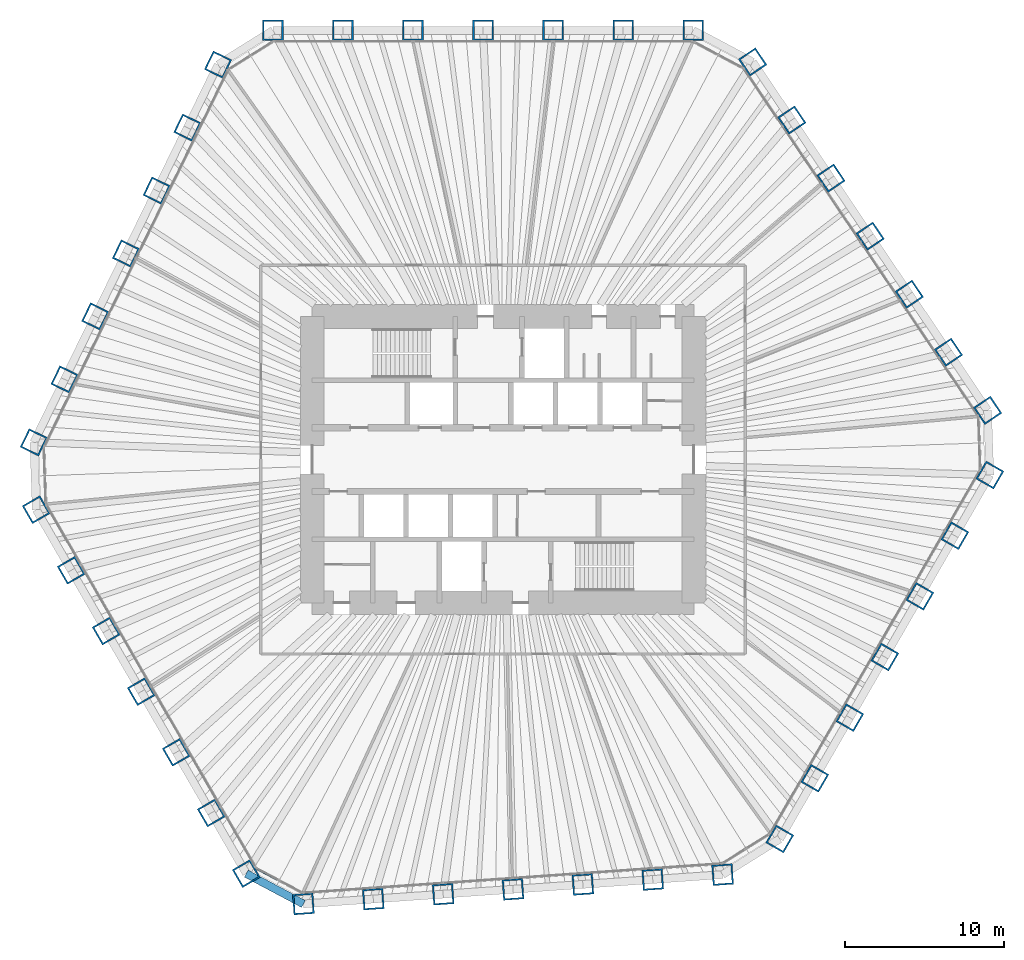
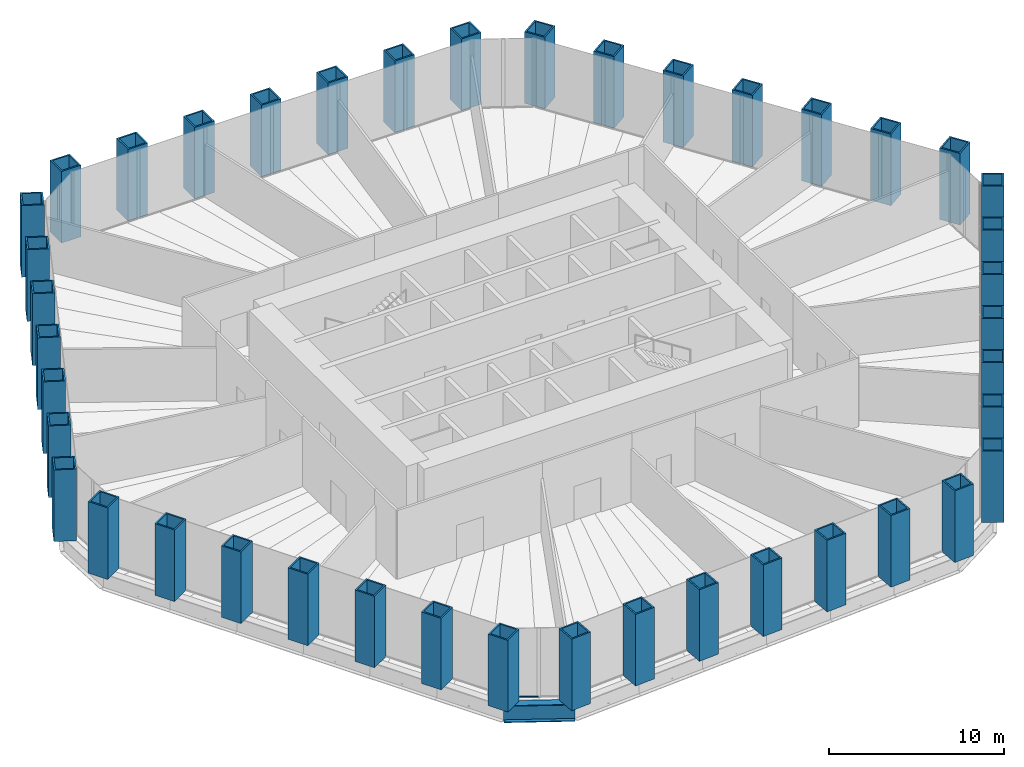
# One storey, part 1 of 13: 42 columns, 1 beam, 1 member, 1 element without a shape of its own.
"""IFC4 building model written with IfcOpenShell, lengths in metres."""

from ifc_helpers import new_model, si_unit, direction, frame, origin, origin_2d, place, context, subcontext, project, spatial, rectangle, hollow_rectangle, i_section, extrude, material, material_profile, profile_set, type_object, element, aggregate, save


model = new_model("IFC4")

# Units and contexts
model_context = context("Model", 3, precision=1e-05, world=origin(), true_north=direction((0.0, 1.0)))
body_context = subcontext(model_context, "Body", "Model", "MODEL_VIEW")
ifc_project = project(units=[si_unit("LENGTHUNIT", "METRE"), si_unit("AREAUNIT", "SQUARE_METRE"), si_unit("VOLUMEUNIT", "CUBIC_METRE"), si_unit("PLANEANGLEUNIT", "RADIAN"), si_unit("MASSUNIT", "GRAM", prefix="KILO")], contexts=[model_context])

# Site, building, storey
site_placement = place(None, origin())
site = spatial("IfcSite", under=ifc_project, at=site_placement, CompositionType="ELEMENT")
building_placement = place(site_placement, origin())
building = spatial("IfcBuilding", under=site, at=building_placement, Name="Qingtian Harvest Tower", CompositionType="ELEMENT")
storey_placement = place(building_placement, frame((0.0, 0.0, 62.0)))
storey = spatial("IfcBuildingStorey", under=building, at=storey_placement, Name="L12", CompositionType="ELEMENT", Elevation=62.0)

# Columns
ifc_material_1 = material(Name="Steel SM570MC", Category="steel")
ifc_material_profile_1 = material_profile(ifc_material_1, hollow_rectangle(XDim=1.300048828125, YDim=1.300048828125, WallThickness=0.10009765625, at=origin_2d()), Name="BOX1300x1300x100")
ifc_profile_set_1 = profile_set([ifc_material_profile_1], Name="Steel SM570MC")
column_type = type_object("IfcColumnType", Name="Tube column TC2 BOX1300x1300x100", PredefinedType="COLUMN", material=ifc_profile_set_1)
for number, where, z_axis, x_axis, name in (
    (1, (-14.471435546875, 27.0, 0.0), (0.0, 0.0, 1.0), (-1.0, 0.0, 0.0), "Tube column TC2 N0"),
    (2, (-10.06689453125, 27.0, 0.0), (0.0, 0.0, 1.0), (-1.0, 0.0, 0.0), "Tube column TC2 N1"),
    (3, (-5.662353515625, 27.0, 0.0), (0.0, 0.0, 1.0), (-1.0, 0.0, 0.0), "Tube column TC2 N2"),
    (4, (-1.257568359375, 27.0, 0.0), (0.0, 0.0, 1.0), (-1.0, 0.0, 0.0), "Tube column TC2 N3"),
    (5, (3.14697265625, 27.0, 0.0), (0.0, 0.0, 1.0), (-1.0, 0.0, 0.0), "Tube column TC2 N4"),
    (6, (7.551513671875, 27.0, 0.0), (0.0, 0.0, 1.0), (-1.0, 0.0, 0.0), "Tube column TC2 N5"),
    (7, (11.9560546875, 27.0, 0.0), (0.0, 0.0, 1.0), (-1.0, 0.0, 0.0), "Tube column TC2 N6"),
    (8, (15.6982421875, 25.01025390625, 0.0), (0.0, 0.0, 1.0), (-0.559192903471, 0.829037572555, 0.0), "Tube column TC2 NE0"),
    (9, (18.1611328125, 21.358642578125, 0.0), (0.0, 0.0, 1.0), (-0.559192903471, 0.829037572555, 0.0), "Tube column TC2 NE1"),
    (10, (20.624267578125, 17.70703125, 0.0), (0.0, 0.0, 1.0), (-0.559192903471, 0.829037572555, 0.0), "Tube column TC2 NE2"),
    (11, (23.08740234375, 14.0556640625, 0.0), (0.0, 0.0, 1.0), (-0.559192903471, 0.829037572555, 0.0), "Tube column TC2 NE3"),
    (12, (25.55029296875, 10.404052734375, 0.0), (0.0, 0.0, 1.0), (-0.559192903471, 0.829037572555, 0.0), "Tube column TC2 NE4"),
    (13, (28.013427734375, 6.75244140625, 0.0), (0.0, 0.0, 1.0), (-0.559192903471, 0.829037572555, 0.0), "Tube column TC2 NE5"),
    (14, (30.476318359375, 3.100830078125, 0.0), (0.0, 0.0, 1.0), (-0.559192903471, 0.829037572555, 0.0), "Tube column TC2 NE6"),
    (15, (30.618408203125, -0.96728515625, 0.0), (0.0, 0.0, 1.0), (0.5, 0.866025403784, 0.0), "Tube column TC2 SE0"),
    (16, (28.416015625, -4.78173828125, 0.0), (0.0, 0.0, 1.0), (0.5, 0.866025403784, 0.0), "Tube column TC2 SE1"),
    (17, (26.2138671875, -8.596435546875, 0.0), (0.0, 0.0, 1.0), (0.5, 0.866025403784, 0.0), "Tube column TC2 SE2"),
    (18, (24.011474609375, -12.410888671875, 0.0), (0.0, 0.0, 1.0), (0.5, 0.866025403784, 0.0), "Tube column TC2 SE3"),
    (19, (21.809326171875, -16.225341796875, 0.0), (0.0, 0.0, 1.0), (0.5, 0.866025403784, 0.0), "Tube column TC2 SE4"),
    (20, (19.60693359375, -20.039794921875, 0.0), (0.0, 0.0, 1.0), (0.5, 0.866025403784, 0.0), "Tube column TC2 SE5"),
    (21, (17.404541015625, -23.854248046875, 0.0), (0.0, 0.0, 1.0), (0.5, 0.866025403784, 0.0), "Tube column TC2 SE6"),
    (22, (13.810546875, -26.10009765625, 0.0), (0.0, 0.0, 1.0), (0.99756405026, 0.069756473744, 0.0), "Tube column TC2 S0"),
    (23, (9.41650390625, -26.407470703125, 0.0), (0.0, 0.0, 1.0), (0.99756405026, 0.069756473744, 0.0), "Tube column TC2 S1"),
    (24, (5.022705078125, -26.714599609375, 0.0), (0.0, 0.0, 1.0), (0.99756405026, 0.069756473744, 0.0), "Tube column TC2 S2"),
    (25, (0.62890625, -27.02197265625, 0.0), (0.0, 0.0, 1.0), (0.99756405026, 0.069756473744, 0.0), "Tube column TC2 S3"),
    (26, (-3.76513671875, -27.3291015625, 0.0), (0.0, 0.0, 1.0), (0.99756405026, 0.069756473744, 0.0), "Tube column TC2 S4"),
    (27, (-8.158935546875, -27.636474609375, 0.0), (0.0, 0.0, 1.0), (0.99756405026, 0.069756473744, 0.0), "Tube column TC2 S5"),
    (28, (-12.552734375, -27.943603515625, 0.0), (0.0, 0.0, 1.0), (0.99756405026, 0.069756473744, 0.0), "Tube column TC2 S6"),
    (29, (-16.14697265625, -26.03271484375, 0.0), (0.0, 0.0, 1.0), (0.5, -0.866025403784, 0.0), "Tube column TC2 SW0"),
    (30, (-18.349365234375, -22.21826171875, 0.0), (0.0, 0.0, 1.0), (0.5, -0.866025403784, 0.0), "Tube column TC2 SW1"),
    (31, (-20.551513671875, -18.403564453125, 0.0), (0.0, 0.0, 1.0), (0.5, -0.866025403784, 0.0), "Tube column TC2 SW2"),
    (32, (-22.75390625, -14.589111328125, 0.0), (0.0, 0.0, 1.0), (0.5, -0.866025403784, 0.0), "Tube column TC2 SW3"),
    (33, (-24.9560546875, -10.774658203125, 0.0), (0.0, 0.0, 1.0), (0.5, -0.866025403784, 0.0), "Tube column TC2 SW4"),
    (34, (-27.158447265625, -6.960205078125, 0.0), (0.0, 0.0, 1.0), (0.5, -0.866025403784, 0.0), "Tube column TC2 SW5"),
    (35, (-29.36083984375, -3.145751953125, 0.0), (0.0, 0.0, 1.0), (0.5, -0.866025403784, 0.0), "Tube column TC2 SW6"),
    (36, (-29.5087890625, 1.08984375, 0.0), (0.0, 0.0, 1.0), (-0.438371146789, -0.898794046299, 0.0), "Tube column TC2 NW0"),
    (37, (-27.577880859375, 5.048828125, 0.0), (0.0, 0.0, 1.0), (-0.438371146789, -0.898794046299, 0.0), "Tube column TC2 NW1"),
    (38, (-25.64697265625, 9.007568359375, 0.0), (0.0, 0.0, 1.0), (-0.438371146789, -0.898794046299, 0.0), "Tube column TC2 NW2"),
    (39, (-23.716064453125, 12.96630859375, 0.0), (0.0, 0.0, 1.0), (-0.438371146789, -0.898794046299, 0.0), "Tube column TC2 NW3"),
    (40, (-21.78515625, 16.92529296875, 0.0), (0.0, 0.0, 1.0), (-0.438371146789, -0.898794046299, 0.0), "Tube column TC2 NW4"),
    (41, (-19.8544921875, 20.884033203125, 0.0), (0.0, 0.0, 1.0), (-0.438371146789, -0.898794046299, 0.0), "Tube column TC2 NW5"),
    (42, (-17.923583984375, 24.8427734375, 0.0), (0.0, 0.0, 1.0), (-0.438371146789, -0.898794046299, 0.0), "Tube column TC2 NW6"),
):
    element("IfcColumn", number, at=place(storey_placement, frame(where, z_axis=z_axis, x_axis=x_axis)), inside=storey, type_object=column_type, Name=name, PredefinedType="COLUMN", context=body_context, shape_type="SweptSolid", body=[
        extrude(hollow_rectangle(XDim=1.300048828125, YDim=1.300048828125, WallThickness=0.10009765625, at=origin_2d()), origin(), (0.0, 0.0, 1.0), 5.0),
    ])

# Beam
ifc_material_2 = material(Name="Steel SM570MC", Category="steel")
ifc_material_profile_2 = material_profile(ifc_material_2, i_section(OverallWidth=0.5, OverallDepth=1.199951171875, WebThickness=0.02490234375, FlangeThickness=0.050048828125, at=origin_2d()), Name="H1200x500x25x50")
ifc_profile_set_2 = profile_set([ifc_material_profile_2], Name="Steel SM570MC")
beam_type = type_object("IfcBeamType", Name="Spandrel beam SB1 H1200x500x25x50", PredefinedType="SPANDREL", material=ifc_profile_set_2)
beam_placement = place(storey_placement, frame((-12.552734375, -27.943603515625, -0.60009765625), z_axis=(-0.882968133669, 0.469432929101, 0.0), x_axis=(-0.469432929101, -0.882968133669, 0.0)))
element("IfcBeam", 43, at=beam_placement, inside=storey, type_object=beam_type, Name="Spandrel SB1 SC", PredefinedType="SPANDREL", context=body_context, shape_type="SweptSolid", body=[
    extrude(i_section(OverallWidth=0.5, OverallDepth=1.199951171875, WebThickness=0.02490234375, FlangeThickness=0.050048828125, at=origin_2d()), origin(), (0.0, 0.0, 1.0), 4.070556640625),
])

# Curtain wall, member
ifc_material_3 = material(Name="Bronze-anodised aluminium curtain wall", Category="aluminium")
curtain_wall_type = type_object("IfcCurtainWallType", Name="Curtain wall CW2 farm reception", PredefinedType="USERDEFINED", material=ifc_material_3)
curtain_wall_placement = place(storey_placement, origin())
curtain_wall = element("IfcCurtainWall", 44, at=curtain_wall_placement, inside=storey, type_object=curtain_wall_type, Name="Curtain wall CW2 L12 SC", ObjectType="RECESSED CURTAIN WALL", PredefinedType="USERDEFINED")
ifc_material_4 = material(Name="Bronze-anodised aluminium transom", Category="aluminium")
ifc_material_profile_3 = material_profile(ifc_material_4, rectangle(XDim=0.14990234375, YDim=0.06494140625, at=origin_2d()), Name="AL 65x150")
ifc_profile_set_3 = profile_set([ifc_material_profile_3], Name="Bronze-anodised aluminium transom")
member_type = type_object("IfcMemberType", Name="Transom CWT 65x150", PredefinedType="USERDEFINED", material=ifc_profile_set_3)
member_placement = place(storey_placement, frame((-14.099853515625, -26.44873046875, 0.032470703125), z_axis=(-0.882960338349, 0.46944759122, 0.0), x_axis=(-0.46944759122, -0.882960338349, 0.0)))
member = element("IfcMember", 45, at=member_placement, type_object=member_type, Name="CW2 transom 2.1", ObjectType="TRANSOM", PredefinedType="USERDEFINED", context=body_context, shape_type="SweptSolid", body=[
    extrude(rectangle(XDim=0.14990234375, YDim=0.06494140625, at=origin_2d()), origin(), (0.0, 0.0, 1.0), 1.56689453125),
])
aggregate(curtain_wall, [member])

save(model, "model.ifc")
